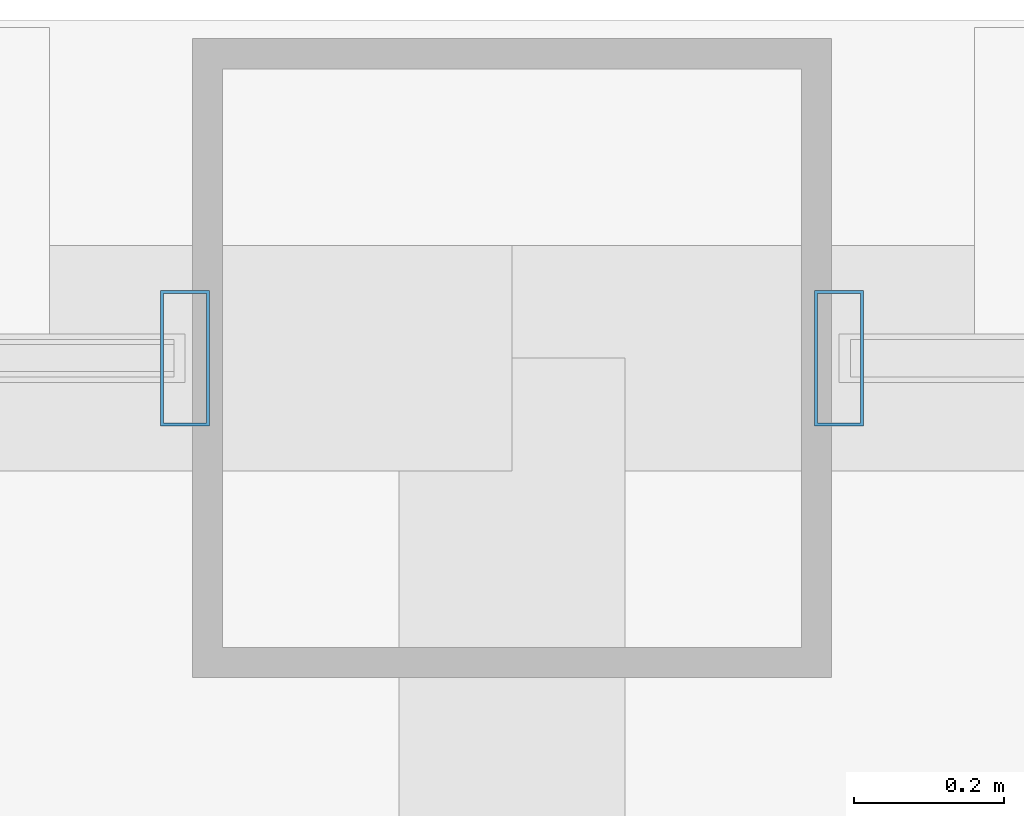
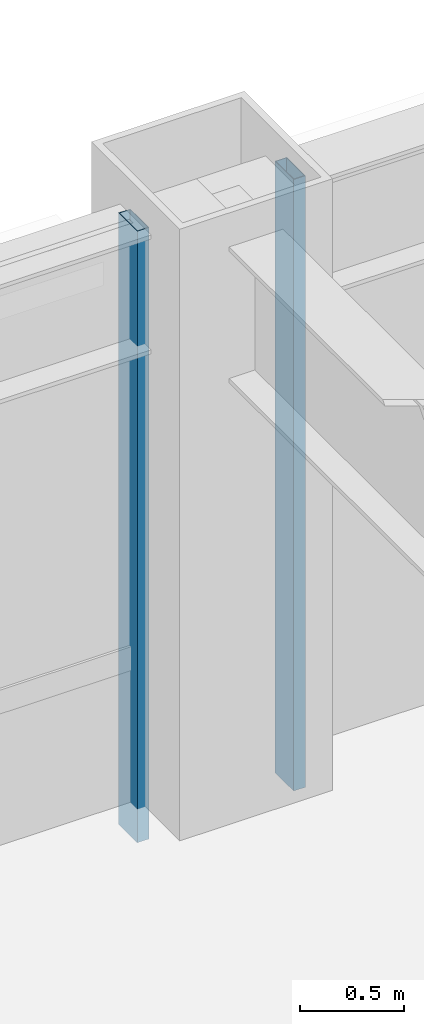
# One storey, part 20 of 28: 2 members, 2 elements without a shape of their own.
"""IFC4 building model written with IfcOpenShell, lengths in metres."""

from ifc_helpers import new_model, si_unit, direction, frame, origin, origin_2d, place, context, subcontext, project, spatial, hollow_rectangle, extrude, material, layer, layer_set, material_profile, profile_set, type_object, element, aggregate, save


model = new_model("IFC4")

# Units and contexts
model_context = context("Model", 3, precision=1e-05, world=origin(), true_north=direction((0.0, 1.0)))
body_context = subcontext(model_context, "Body", "Model", "MODEL_VIEW")
ifc_project = project(units=[si_unit("LENGTHUNIT", "METRE"), si_unit("AREAUNIT", "SQUARE_METRE"), si_unit("VOLUMEUNIT", "CUBIC_METRE"), si_unit("PLANEANGLEUNIT", "RADIAN"), si_unit("MASSUNIT", "GRAM", prefix="KILO")], contexts=[model_context])

# Site, building, storey
site_placement = place(None, origin())
site = spatial("IfcSite", under=ifc_project, at=site_placement, CompositionType="ELEMENT")
building_placement = place(site_placement, origin())
building = spatial("IfcBuilding", under=site, at=building_placement, Name="Brelmoor Portico Tower", CompositionType="ELEMENT")
storey_placement = place(building_placement, frame((0.0, 0.0, 91.800048828125)))
storey = spatial("IfcBuildingStorey", under=building, at=storey_placement, Name="L23", CompositionType="ELEMENT", Elevation=91.800048828125)

# Curtain wall, member
ifc_material = material(Name="Anodised Aluminium Alloy 6063-T6", Category="aluminium")
ifc_layer_1 = layer(ifc_material, 0.179931640625)
ifc_layer_set_1 = layer_set([ifc_layer_1], Name="Anodised Aluminium Alloy 6063-T6")
curtain_wall_type_1 = type_object("IfcCurtainWallType", Name="CW-TOWER-Z2", PredefinedType="NOTDEFINED", material=ifc_layer_set_1)
curtain_wall_1_placement = place(storey_placement, origin())
curtain_wall_1 = element("IfcCurtainWall", 1, at=curtain_wall_1_placement, inside=storey, type_object=curtain_wall_type_1, Name="L23 Curtain Wall CW-L23-02-2", PredefinedType="NOTDEFINED")
ifc_material_profile = material_profile(ifc_material, hollow_rectangle(XDim=0.06494140625, YDim=0.179931640625, WallThickness=0.00390625, at=origin_2d()), Name="ALU MULLION 65x180")
ifc_profile_set = profile_set([ifc_material_profile], Name="Anodised Aluminium Alloy 6063-T6")
member_type = type_object("IfcMemberType", Name="MB-CW-MULL-180", PredefinedType="MULLION", material=ifc_profile_set)
member_1_placement = place(storey_placement, frame((-8.485107421875, 19.550048828125, -0.199951171875), z_axis=(0.0, 0.0, 1.0), x_axis=(1.0, 0.0, 0.0)))
member_1 = element("IfcMember", 2, at=member_1_placement, type_object=member_type, Name="CW-L23-02-2 Mullion 01", PredefinedType="MULLION", context=body_context, shape_type="SweptSolid", body=[
    extrude(hollow_rectangle(XDim=0.06494140625, YDim=0.179931640625, WallThickness=0.00390625, at=origin_2d()), origin(), (0.0, 0.0, 1.0), 3.599853515625),
])
aggregate(curtain_wall_1, [member_1])

ifc_layer_2 = layer(ifc_material, 0.179931640625)
ifc_layer_set_2 = layer_set([ifc_layer_2], Name="Anodised Aluminium Alloy 6063-T6")
curtain_wall_type_2 = type_object("IfcCurtainWallType", Name="CW-TOWER-Z2-XB", PredefinedType="NOTDEFINED", material=ifc_layer_set_2)
curtain_wall_2_placement = place(storey_placement, origin())
curtain_wall_2 = element("IfcCurtainWall", 3, at=curtain_wall_2_placement, inside=storey, type_object=curtain_wall_type_2, Name="L23 Curtain Wall CW-L23-02-3", PredefinedType="NOTDEFINED")
member_2_placement = place(storey_placement, frame((-7.614990234375, 19.550048828125, -0.199951171875), z_axis=(0.0, 0.0, 1.0), x_axis=(1.0, 0.0, 0.0)))
member_2 = element("IfcMember", 4, at=member_2_placement, type_object=member_type, Name="CW-L23-02-3 Mullion 00", PredefinedType="MULLION", context=body_context, shape_type="SweptSolid", body=[
    extrude(hollow_rectangle(XDim=0.06494140625, YDim=0.179931640625, WallThickness=0.00390625, at=origin_2d()), origin(), (0.0, 0.0, 1.0), 3.599853515625),
])
aggregate(curtain_wall_2, [member_2])

save(model, "model.ifc")
